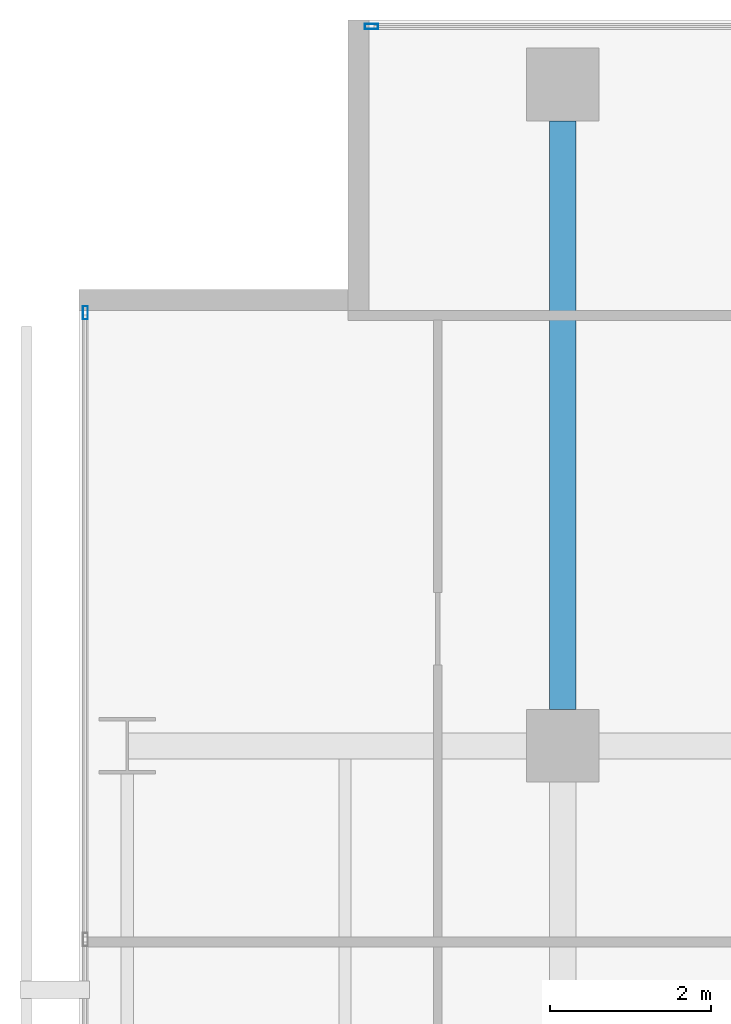
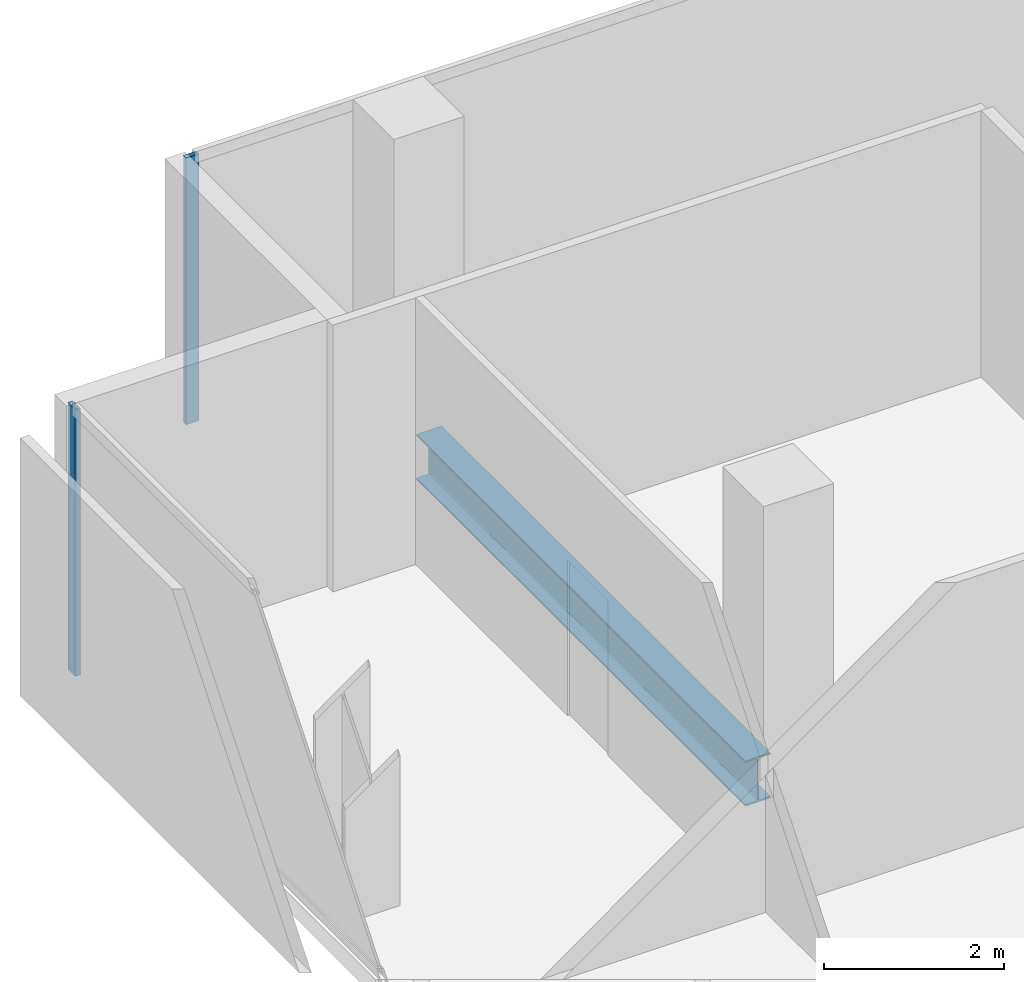
# One storey, part 25 of 40: 2 members, 1 beam, 2 elements without a shape of their own.
"""IFC4 building model written with IfcOpenShell, lengths in metres."""

from ifc_helpers import new_model, si_unit, direction, frame, origin, origin_2d, place, context, subcontext, project, spatial, hollow_rectangle, i_section, extrude, material, layer, layer_set, material_profile, profile_set, type_object, element, aggregate, save


model = new_model("IFC4")

# Units and contexts
model_context = context("Model", 3, precision=1e-05, world=origin(), true_north=direction((0.0, 1.0)))
body_context = subcontext(model_context, "Body", "Model", "MODEL_VIEW")
ifc_project = project(units=[si_unit("LENGTHUNIT", "METRE"), si_unit("AREAUNIT", "SQUARE_METRE"), si_unit("VOLUMEUNIT", "CUBIC_METRE"), si_unit("PLANEANGLEUNIT", "RADIAN"), si_unit("MASSUNIT", "GRAM", prefix="KILO")], contexts=[model_context])

# Site, building, storey
site_placement = place(None, origin())
site = spatial("IfcSite", under=ifc_project, at=site_placement, CompositionType="ELEMENT")
building_placement = place(site_placement, origin())
building = spatial("IfcBuilding", under=site, at=building_placement, Name="Maruvema Waterfront Hotel and Observation Tower", CompositionType="ELEMENT")
storey_placement = place(building_placement, frame((0.0, 0.0, 92.39990234375)))
storey = spatial("IfcBuildingStorey", under=building, at=storey_placement, Name="L22", CompositionType="ELEMENT", Elevation=92.39990234375)

# Curtain wall, member
ifc_material_1 = material(Name="Anodised bronze aluminium and solar-control low-E IGU", Category="aluminium")
ifc_layer = layer(ifc_material_1, 0.159912109375, Name="Zone 1 Bronze Inner Thermal Curtain Wall System CW-02")
ifc_layer_set = layer_set([ifc_layer], Name="Anodised bronze aluminium and solar-control low-E IGU")
curtain_wall_type = type_object("IfcCurtainWallType", Name="Zone 1 Bronze Inner Thermal Curtain Wall System CW-02", PredefinedType="USERDEFINED", material=ifc_layer_set)
curtain_wall_1_placement = place(storey_placement, origin())
curtain_wall_1 = element("IfcCurtainWall", 1, at=curtain_wall_1_placement, inside=storey, type_object=curtain_wall_type, Name="L22 Curtain Wall CW-L22-W", ObjectType="UNITISED CURTAIN WALL", PredefinedType="USERDEFINED")
ifc_material_2 = material(Name="Anodised architectural bronze aluminium", Category="aluminium")
ifc_material_profile_1 = material_profile(ifc_material_2, hollow_rectangle(XDim=0.06494140625, YDim=0.1650390625, WallThickness=0.00390625, at=origin_2d()), Name="ALU-M65x165")
ifc_profile_set_1 = profile_set([ifc_material_profile_1], Name="Anodised architectural bronze aluminium")
member_type = type_object("IfcMemberType", Name="Curtain Wall Primary Mullion ALU-M65x165", PredefinedType="MULLION", material=ifc_profile_set_1)
member_1_placement = place(storey_placement, frame((10.8798828125, 50.3701171875, 0.0), z_axis=(0.0, 0.0, 1.0), x_axis=(1.0, 0.0, 0.0)))
member_1 = element("IfcMember", 2, at=member_1_placement, type_object=member_type, Name="CW-02 mullion 1", PredefinedType="MULLION", context=body_context, shape_type="SweptSolid", body=[
    extrude(hollow_rectangle(XDim=0.06494140625, YDim=0.1650390625, WallThickness=0.00390625, at=origin_2d()), origin(), (0.0, 0.0, 1.0), 3.610107421875),
])
aggregate(curtain_wall_1, [member_1])

curtain_wall_2_placement = place(storey_placement, origin())
curtain_wall_2 = element("IfcCurtainWall", 3, at=curtain_wall_2_placement, inside=storey, type_object=curtain_wall_type, Name="L22 Curtain Wall CW-L22-NW", ObjectType="UNITISED CURTAIN WALL", PredefinedType="USERDEFINED")
member_2_placement = place(storey_placement, frame((14.429931640625, 53.919921875, 0.0), z_axis=(0.0, 0.0, 1.0), x_axis=(0.0, -1.0, 0.0)))
member_2 = element("IfcMember", 4, at=member_2_placement, type_object=member_type, Name="CW-02 mullion 2", PredefinedType="MULLION", context=body_context, shape_type="SweptSolid", body=[
    extrude(hollow_rectangle(XDim=0.06494140625, YDim=0.1650390625, WallThickness=0.00390625, at=origin_2d()), origin(), (0.0, 0.0, 1.0), 3.610107421875),
])
aggregate(curtain_wall_2, [member_2])

# Beam
ifc_material_3 = material(Name="Steel ASTM A572 Grade 50", Category="steel")
ifc_material_profile_2 = material_profile(ifc_material_3, i_section(OverallWidth=0.323974609375, OverallDepth=0.611083984375, WebThickness=0.0126953125, FlangeThickness=0.01904296875, FilletRadius=0.01806640625, at=origin_2d()), Name="W610x155.0")
ifc_profile_set_2 = profile_set([ifc_material_profile_2], Name="Steel ASTM A572 Grade 50")
beam_type = type_object("IfcBeamType", Name="Primary Floor Girder W610x155.0", PredefinedType="BEAM", material=ifc_profile_set_2)
beam_placement = place(storey_placement, frame((16.800048828125, 45.449951171875, -0.54541015625), z_axis=(0.0, 1.0, 0.0), x_axis=(-1.0, 0.0, 0.0)))
element("IfcBeam", 5, at=beam_placement, inside=storey, type_object=beam_type, Name="L22 Floor Girder NS-10", PredefinedType="BEAM", context=body_context, shape_type="SweptSolid", body=[
    extrude(i_section(OverallWidth=0.323974609375, OverallDepth=0.611083984375, WebThickness=0.0126953125, FlangeThickness=0.01904296875, FilletRadius=0.01806640625, at=origin_2d()), origin(), (0.0, 0.0, 1.0), 7.300048828125),
])

save(model, "model.ifc")
